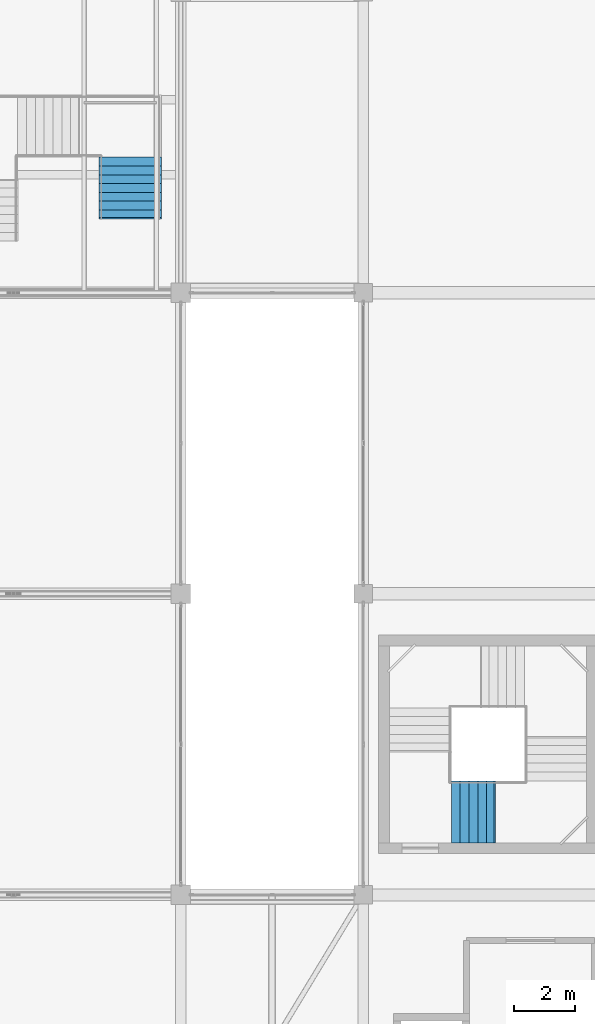
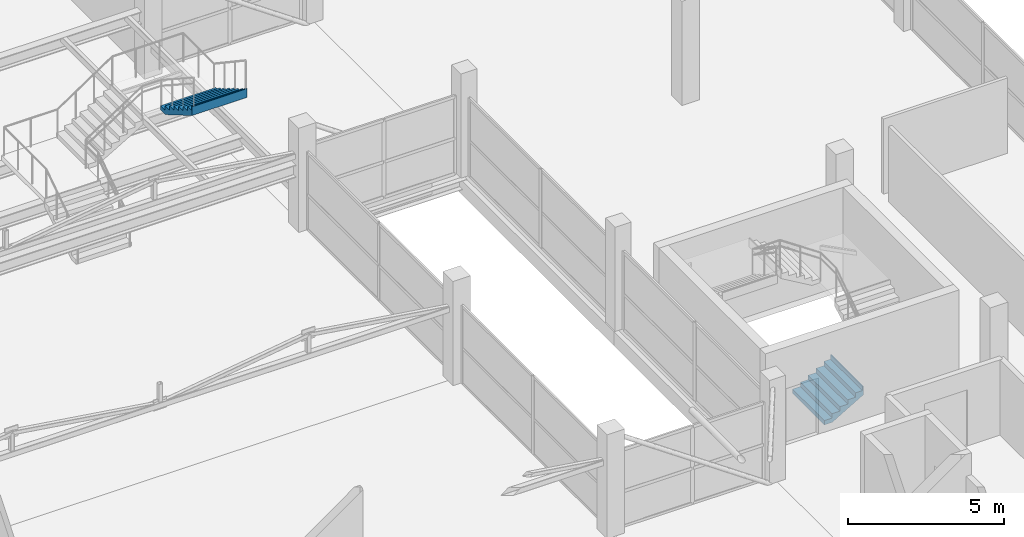
# One storey, part 65 of 70: 2 stair flights, 2 elements without a shape of their own.
"""IFC4 building model written with IfcOpenShell, lengths in metres."""

from ifc_helpers import new_model, si_unit, direction, frame, origin, place, context, subcontext, project, spatial, triangles, material, type_object, element, aggregate, save


model = new_model("IFC4")

# Units and contexts
model_context = context("Model", 3, precision=1e-05, world=origin(), true_north=direction((0.0, 1.0)))
body_context = subcontext(model_context, "Body", "Model", "MODEL_VIEW")
ifc_project = project(units=[si_unit("LENGTHUNIT", "METRE"), si_unit("AREAUNIT", "SQUARE_METRE"), si_unit("VOLUMEUNIT", "CUBIC_METRE"), si_unit("PLANEANGLEUNIT", "RADIAN"), si_unit("MASSUNIT", "GRAM", prefix="KILO")], contexts=[model_context])

# Site, building, storey
site_placement = place(None, origin())
site = spatial("IfcSite", under=ifc_project, at=site_placement, CompositionType="ELEMENT")
building_placement = place(site_placement, origin())
building = spatial("IfcBuilding", under=site, at=building_placement, Name="Sillaruma Civic Art Gallery", CompositionType="ELEMENT")
storey_placement = place(building_placement, frame((0.0, 0.0, 66.300048828125)))
storey = spatial("IfcBuildingStorey", under=building, at=storey_placement, Name="L13", CompositionType="ELEMENT", Elevation=66.300048828125)

# Stair, stair flight
ifc_material = material(Name="Concrete H35 (35 MPa)", Category="concrete")
stair_type_1 = type_object("IfcStairType", Name="STR-4F-24", PredefinedType="USERDEFINED", material=ifc_material)
stair_1_placement = place(storey_placement, origin())
stair_1 = element("IfcStair", 1, at=stair_1_placement, inside=storey, type_object=stair_type_1, Name="Protected Exit Stair ST-04 (East Bar) (L13)", ObjectType="THREE_RETURN_STAIR", PredefinedType="USERDEFINED")
stair_flight_type_1 = type_object("IfcStairFlightType", Name="SFL-STR-6", PredefinedType="STRAIGHT", material=ifc_material)
stair_flight_1_placement = place(storey_placement, frame((100.89990234375, 52.22998046875, 0.0), z_axis=(0.0, 0.0, 1.0), x_axis=(1.0, 0.0, 0.0)))
stair_flight_1 = element("IfcStairFlight", 2, at=stair_flight_1_placement, type_object=stair_flight_type_1, Name="ST-04 flight 1", NumberOfRisers=6, NumberOfTreads=5, PredefinedType="STRAIGHT", RiserHeight=0.17, TreadLength=0.29, context=body_context, shape_type="Tessellation", body=[
    triangles([(0.0, -1.02001953125, 0.0), (0.29, -1.02001953125, 0.0), (0.296365, -1.02001953125, 0.0), (0.58, -1.02001953125, 0.166269), (0.87, -1.02001953125, 0.336269), (1.16, -1.02001953125, 0.506269), (1.409951, -1.02001953125, 0.652792), (1.449951, -1.02001953125, 0.67624), (1.449951, -1.02001953125, 1.02), (1.409951, -1.02001953125, 1.02), (1.409951, -1.02001953125, 0.85), (1.16, -1.02001953125, 0.85), (1.16, -1.02001953125, 0.68), (0.87, -1.02001953125, 0.68), (0.87, -1.02001953125, 0.51), (0.58, -1.02001953125, 0.51), (0.58, -1.02001953125, 0.34), (0.296365, -1.02001953125, 0.34), (0.29, -1.02001953125, 0.34), (0.29, -1.02001953125, 0.17), (0.0, -1.02001953125, 0.17), (0.0, -0.05, 0.0), (0.29, -0.05, 0.0), (0.296365, -0.05, 0.0), (0.58, -0.05, 0.166269), (0.87, -0.05, 0.336269), (1.16, -0.05, 0.506269), (1.409951, -0.05, 0.652792), (1.449951, -0.05, 0.67624), (1.449951, -0.05, 1.02), (1.409951, -0.05, 1.02), (1.409951, -0.05, 0.85), (1.16, -0.05, 0.85), (1.16, -0.05, 0.68), (0.87, -0.05, 0.68), (0.87, -0.05, 0.51), (0.58, -0.05, 0.51), (0.58, -0.05, 0.34), (0.296365, -0.05, 0.34), (0.29, -0.05, 0.34), (0.29, -0.05, 0.17), (0.0, -0.05, 0.17), (0.0, -0.0375, 0.0), (0.29, -0.0375, 0.0), (0.296365, -0.0375, 0.0), (0.58, -0.0375, 0.166269), (0.87, -0.0375, 0.336269), (1.16, -0.0375, 0.506269), (1.409951, -0.0375, 0.652792), (1.449951, -0.0375, 0.67624), (1.449951, -0.0375, 1.02), (1.409951, -0.0375, 1.02), (1.409951, -0.0375, 0.85), (1.16, -0.0375, 0.85), (1.16, -0.0375, 0.68), (0.87, -0.0375, 0.68), (0.87, -0.0375, 0.51), (0.58, -0.0375, 0.51), (0.58, -0.0375, 0.34), (0.296365, -0.0375, 0.34), (0.29, -0.0375, 0.34), (0.29, -0.0375, 0.17), (0.0, -0.0375, 0.17), (0.0, -0.025, 0.0), (0.29, -0.025, 0.0), (0.296365, -0.025, 0.0), (0.58, -0.025, 0.166269), (0.87, -0.025, 0.336269), (1.16, -0.025, 0.506269), (1.409951, -0.025, 0.652792), (1.449951, -0.025, 0.67624), (1.449951, -0.025, 1.02), (1.409951, -0.025, 1.02), (1.409951, -0.025, 0.85), (1.16, -0.025, 0.85), (1.16, -0.025, 0.68), (0.87, -0.025, 0.68), (0.87, -0.025, 0.51), (0.58, -0.025, 0.51), (0.58, -0.025, 0.34), (0.296365, -0.025, 0.34), (0.29, -0.025, 0.34), (0.29, -0.025, 0.17), (0.0, -0.025, 0.17), (0.0, -0.0125, 0.0), (0.29, -0.0125, 0.0), (0.296365, -0.0125, 0.0), (0.58, -0.0125, 0.166269), (0.87, -0.0125, 0.336269), (1.16, -0.0125, 0.506269), (1.409951, -0.0125, 0.652792), (1.449951, -0.0125, 0.67624), (1.449951, -0.0125, 1.02), (1.409951, -0.0125, 1.02), (1.409951, -0.0125, 0.85), (1.16, -0.0125, 0.85), (1.16, -0.0125, 0.68), (0.87, -0.0125, 0.68), (0.87, -0.0125, 0.51), (0.58, -0.0125, 0.51), (0.58, -0.0125, 0.34), (0.296365, -0.0125, 0.34), (0.29, -0.0125, 0.34), (0.29, -0.0125, 0.17), (0.0, -0.0125, 0.17), (0.0, 0.0, 0.0), (0.29, 0.0, 0.0), (0.296365, 0.0, 0.0), (0.58, 0.0, 0.166269), (0.87, 0.0, 0.336269), (1.16, 0.0, 0.506269), (1.409951, 0.0, 0.652792), (1.449951, 0.0, 0.67624), (1.449951, 0.0, 1.02), (1.409951, 0.0, 1.02), (1.409951, 0.0, 0.85), (1.16, 0.0, 0.85), (1.16, 0.0, 0.68), (0.87, 0.0, 0.68), (0.87, 0.0, 0.51), (0.58, 0.0, 0.51), (0.58, 0.0, 0.34), (0.296365, 0.0, 0.34), (0.29, 0.0, 0.34), (0.29, 0.0, 0.17), (0.0, 0.0, 0.17), (0.0, 0.0125, 0.0), (0.29, 0.0125, 0.0), (0.296365, 0.0125, 0.0), (0.58, 0.0125, 0.166269), (0.87, 0.0125, 0.336269), (1.16, 0.0125, 0.506269), (1.409951, 0.0125, 0.652792), (1.449951, 0.0125, 0.67624), (1.449951, 0.0125, 1.02), (1.409951, 0.0125, 1.02), (1.409951, 0.0125, 0.85), (1.16, 0.0125, 0.85), (1.16, 0.0125, 0.68), (0.87, 0.0125, 0.68), (0.87, 0.0125, 0.51), (0.58, 0.0125, 0.51), (0.58, 0.0125, 0.34), (0.296365, 0.0125, 0.34), (0.29, 0.0125, 0.34), (0.29, 0.0125, 0.17), (0.0, 0.0125, 0.17), (0.0, 0.025, 0.0), (0.29, 0.025, 0.0), (0.296365, 0.025, 0.0), (0.58, 0.025, 0.166269), (0.87, 0.025, 0.336269), (1.16, 0.025, 0.506269), (1.409951, 0.025, 0.652792), (1.449951, 0.025, 0.67624), (1.449951, 0.025, 1.02), (1.409951, 0.025, 1.02), (1.409951, 0.025, 0.85), (1.16, 0.025, 0.85), (1.16, 0.025, 0.68), (0.87, 0.025, 0.68), (0.87, 0.025, 0.51), (0.58, 0.025, 0.51), (0.58, 0.025, 0.34), (0.296365, 0.025, 0.34), (0.29, 0.025, 0.34), (0.29, 0.025, 0.17), (0.0, 0.025, 0.17), (0.0, 0.0375, 0.0), (0.29, 0.0375, 0.0), (0.296365, 0.0375, 0.0), (0.58, 0.0375, 0.166269), (0.87, 0.0375, 0.336269), (1.16, 0.0375, 0.506269), (1.409951, 0.0375, 0.652792), (1.449951, 0.0375, 0.67624), (1.449951, 0.0375, 1.02), (1.409951, 0.0375, 1.02), (1.409951, 0.0375, 0.85), (1.16, 0.0375, 0.85), (1.16, 0.0375, 0.68), (0.87, 0.0375, 0.68), (0.87, 0.0375, 0.51), (0.58, 0.0375, 0.51), (0.58, 0.0375, 0.34), (0.296365, 0.0375, 0.34), (0.29, 0.0375, 0.34), (0.29, 0.0375, 0.17), (0.0, 0.0375, 0.17), (0.0, 0.05, 0.0), (0.29, 0.05, 0.0), (0.296365, 0.05, 0.0), (0.58, 0.05, 0.166269), (0.87, 0.05, 0.336269), (1.16, 0.05, 0.506269), (1.409951, 0.05, 0.652792), (1.449951, 0.05, 0.67624), (1.449951, 0.05, 1.02), (1.409951, 0.05, 1.02), (1.409951, 0.05, 0.85), (1.16, 0.05, 0.85), (1.16, 0.05, 0.68), (0.87, 0.05, 0.68), (0.87, 0.05, 0.51), (0.58, 0.05, 0.51), (0.58, 0.05, 0.34), (0.296365, 0.05, 0.34), (0.29, 0.05, 0.34), (0.29, 0.05, 0.17), (0.0, 0.05, 0.17), (0.0, 1.02001953125, 0.0), (0.29, 1.02001953125, 0.0), (0.296365, 1.02001953125, 0.0), (0.58, 1.02001953125, 0.166269), (0.87, 1.02001953125, 0.336269), (1.16, 1.02001953125, 0.506269), (1.409951, 1.02001953125, 0.652792), (1.449951, 1.02001953125, 0.67624), (1.449951, 1.02001953125, 1.02), (1.409951, 1.02001953125, 1.02), (1.409951, 1.02001953125, 0.85), (1.16, 1.02001953125, 0.85), (1.16, 1.02001953125, 0.68), (0.87, 1.02001953125, 0.68), (0.87, 1.02001953125, 0.51), (0.58, 1.02001953125, 0.51), (0.58, 1.02001953125, 0.34), (0.296365, 1.02001953125, 0.34), (0.29, 1.02001953125, 0.34), (0.29, 1.02001953125, 0.17), (0.0, 1.02001953125, 0.17)], [[1, 2, 20], [1, 20, 21], [2, 3, 18], [2, 18, 20], [20, 18, 19], [3, 4, 17], [3, 17, 18], [4, 5, 15], [4, 15, 17], [17, 15, 16], [5, 6, 13], [5, 13, 15], [15, 13, 14], [6, 7, 11], [6, 11, 13], [13, 11, 12], [7, 8, 9], [7, 9, 11], [11, 9, 10], [230, 212, 211], [231, 230, 211], [228, 213, 212], [230, 228, 212], [229, 228, 230], [227, 214, 213], [228, 227, 213], [225, 215, 214], [227, 225, 214], [226, 225, 227], [223, 216, 215], [225, 223, 215], [224, 223, 225], [221, 217, 216], [223, 221, 216], [222, 221, 223], [219, 218, 217], [221, 219, 217], [220, 219, 221], [2, 1, 22], [2, 22, 23], [3, 2, 23], [3, 23, 24], [4, 3, 24], [4, 24, 25], [5, 4, 25], [5, 25, 26], [6, 5, 26], [6, 26, 27], [7, 6, 27], [7, 27, 28], [8, 7, 28], [8, 28, 29], [9, 8, 29], [9, 29, 30], [10, 9, 30], [10, 30, 31], [11, 10, 31], [11, 31, 32], [12, 11, 32], [12, 32, 33], [13, 12, 33], [13, 33, 34], [14, 13, 34], [14, 34, 35], [15, 14, 35], [15, 35, 36], [16, 15, 36], [16, 36, 37], [17, 16, 37], [17, 37, 38], [18, 17, 38], [18, 38, 39], [19, 18, 39], [19, 39, 40], [20, 19, 40], [20, 40, 41], [21, 20, 41], [21, 41, 42], [1, 21, 42], [1, 42, 22], [23, 22, 43], [23, 43, 44], [24, 23, 44], [24, 44, 45], [25, 24, 45], [25, 45, 46], [26, 25, 46], [26, 46, 47], [27, 26, 47], [27, 47, 48], [28, 27, 48], [28, 48, 49], [29, 28, 49], [29, 49, 50], [30, 29, 50], [30, 50, 51], [31, 30, 51], [31, 51, 52], [32, 31, 52], [32, 52, 53], [33, 32, 53], [33, 53, 54], [34, 33, 54], [34, 54, 55], [35, 34, 55], [35, 55, 56], [36, 35, 56], [36, 56, 57], [37, 36, 57], [37, 57, 58], [38, 37, 58], [38, 58, 59], [39, 38, 59], [39, 59, 60], [40, 39, 60], [40, 60, 61], [41, 40, 61], [41, 61, 62], [42, 41, 62], [42, 62, 63], [22, 42, 63], [22, 63, 43], [44, 43, 64], [44, 64, 65], [45, 44, 65], [45, 65, 66], [46, 45, 66], [46, 66, 67], [47, 46, 67], [47, 67, 68], [48, 47, 68], [48, 68, 69], [49, 48, 69], [49, 69, 70], [50, 49, 70], [50, 70, 71], [51, 50, 71], [51, 71, 72], [52, 51, 72], [52, 72, 73], [53, 52, 73], [53, 73, 74], [54, 53, 74], [54, 74, 75], [55, 54, 75], [55, 75, 76], [56, 55, 76], [56, 76, 77], [57, 56, 77], [57, 77, 78], [58, 57, 78], [58, 78, 79], [59, 58, 79], [59, 79, 80], [60, 59, 80], [60, 80, 81], [61, 60, 81], [61, 81, 82], [62, 61, 82], [62, 82, 83], [63, 62, 83], [63, 83, 84], [43, 63, 84], [43, 84, 64], [65, 64, 85], [65, 85, 86], [66, 65, 86], [66, 86, 87], [67, 66, 87], [67, 87, 88], [68, 67, 88], [68, 88, 89], [69, 68, 89], [69, 89, 90], [70, 69, 90], [70, 90, 91], [71, 70, 91], [71, 91, 92], [72, 71, 92], [72, 92, 93], [73, 72, 93], [73, 93, 94], [74, 73, 94], [74, 94, 95], [75, 74, 95], [75, 95, 96], [76, 75, 96], [76, 96, 97], [77, 76, 97], [77, 97, 98], [78, 77, 98], [78, 98, 99], [79, 78, 99], [79, 99, 100], [80, 79, 100], [80, 100, 101], [81, 80, 101], [81, 101, 102], [82, 81, 102], [82, 102, 103], [83, 82, 103], [83, 103, 104], [84, 83, 104], [84, 104, 105], [64, 84, 105], [64, 105, 85], [86, 85, 106], [86, 106, 107], [87, 86, 107], [87, 107, 108], [88, 87, 108], [88, 108, 109], [89, 88, 109], [89, 109, 110], [90, 89, 110], [90, 110, 111], [91, 90, 111], [91, 111, 112], [92, 91, 112], [92, 112, 113], [93, 92, 113], [93, 113, 114], [94, 93, 114], [94, 114, 115], [95, 94, 115], [95, 115, 116], [96, 95, 116], [96, 116, 117], [97, 96, 117], [97, 117, 118], [98, 97, 118], [98, 118, 119], [99, 98, 119], [99, 119, 120], [100, 99, 120], [100, 120, 121], [101, 100, 121], [101, 121, 122], [102, 101, 122], [102, 122, 123], [103, 102, 123], [103, 123, 124], [104, 103, 124], [104, 124, 125], [105, 104, 125], [105, 125, 126], [85, 105, 126], [85, 126, 106], [107, 106, 127], [107, 127, 128], [108, 107, 128], [108, 128, 129], [109, 108, 129], [109, 129, 130], [110, 109, 130], [110, 130, 131], [111, 110, 131], [111, 131, 132], [112, 111, 132], [112, 132, 133], [113, 112, 133], [113, 133, 134], [114, 113, 134], [114, 134, 135], [115, 114, 135], [115, 135, 136], [116, 115, 136], [116, 136, 137], [117, 116, 137], [117, 137, 138], [118, 117, 138], [118, 138, 139], [119, 118, 139], [119, 139, 140], [120, 119, 140], [120, 140, 141], [121, 120, 141], [121, 141, 142], [122, 121, 142], [122, 142, 143], [123, 122, 143], [123, 143, 144], [124, 123, 144], [124, 144, 145], [125, 124, 145], [125, 145, 146], [126, 125, 146], [126, 146, 147], [106, 126, 147], [106, 147, 127], [128, 127, 148], [128, 148, 149], [129, 128, 149], [129, 149, 150], [130, 129, 150], [130, 150, 151], [131, 130, 151], [131, 151, 152], [132, 131, 152], [132, 152, 153], [133, 132, 153], [133, 153, 154], [134, 133, 154], [134, 154, 155], [135, 134, 155], [135, 155, 156], [136, 135, 156], [136, 156, 157], [137, 136, 157], [137, 157, 158], [138, 137, 158], [138, 158, 159], [139, 138, 159], [139, 159, 160], [140, 139, 160], [140, 160, 161], [141, 140, 161], [141, 161, 162], [142, 141, 162], [142, 162, 163], [143, 142, 163], [143, 163, 164], [144, 143, 164], [144, 164, 165], [145, 144, 165], [145, 165, 166], [146, 145, 166], [146, 166, 167], [147, 146, 167], [147, 167, 168], [127, 147, 168], [127, 168, 148], [149, 148, 169], [149, 169, 170], [150, 149, 170], [150, 170, 171], [151, 150, 171], [151, 171, 172], [152, 151, 172], [152, 172, 173], [153, 152, 173], [153, 173, 174], [154, 153, 174], [154, 174, 175], [155, 154, 175], [155, 175, 176], [156, 155, 176], [156, 176, 177], [157, 156, 177], [157, 177, 178], [158, 157, 178], [158, 178, 179], [159, 158, 179], [159, 179, 180], [160, 159, 180], [160, 180, 181], [161, 160, 181], [161, 181, 182], [162, 161, 182], [162, 182, 183], [163, 162, 183], [163, 183, 184], [164, 163, 184], [164, 184, 185], [165, 164, 185], [165, 185, 186], [166, 165, 186], [166, 186, 187], [167, 166, 187], [167, 187, 188], [168, 167, 188], [168, 188, 189], [148, 168, 189], [148, 189, 169], [170, 169, 190], [170, 190, 191], [171, 170, 191], [171, 191, 192], [172, 171, 192], [172, 192, 193], [173, 172, 193], [173, 193, 194], [174, 173, 194], [174, 194, 195], [175, 174, 195], [175, 195, 196], [176, 175, 196], [176, 196, 197], [177, 176, 197], [177, 197, 198], [178, 177, 198], [178, 198, 199], [179, 178, 199], [179, 199, 200], [180, 179, 200], [180, 200, 201], [181, 180, 201], [181, 201, 202], [182, 181, 202], [182, 202, 203], [183, 182, 203], [183, 203, 204], [184, 183, 204], [184, 204, 205], [185, 184, 205], [185, 205, 206], [186, 185, 206], [186, 206, 207], [187, 186, 207], [187, 207, 208], [188, 187, 208], [188, 208, 209], [189, 188, 209], [189, 209, 210], [169, 189, 210], [169, 210, 190], [191, 190, 211], [191, 211, 212], [192, 191, 212], [192, 212, 213], [193, 192, 213], [193, 213, 214], [194, 193, 214], [194, 214, 215], [195, 194, 215], [195, 215, 216], [196, 195, 216], [196, 216, 217], [197, 196, 217], [197, 217, 218], [198, 197, 218], [198, 218, 219], [199, 198, 219], [199, 219, 220], [200, 199, 220], [200, 220, 221], [201, 200, 221], [201, 221, 222], [202, 201, 222], [202, 222, 223], [203, 202, 223], [203, 223, 224], [204, 203, 224], [204, 224, 225], [205, 204, 225], [205, 225, 226], [206, 205, 226], [206, 226, 227], [207, 206, 227], [207, 227, 228], [208, 207, 228], [208, 228, 229], [209, 208, 229], [209, 229, 230], [210, 209, 230], [210, 230, 231], [190, 210, 231], [190, 231, 211]], closed=True),
])
aggregate(stair_1, [stair_flight_1])

stair_type_2 = type_object("IfcStairType", Name="STR-3F-24", PredefinedType="TWO_QUARTER_TURN_STAIR", material=ifc_material)
stair_2_placement = place(storey_placement, origin())
stair_2 = element("IfcStair", 3, at=stair_2_placement, inside=storey, type_object=stair_type_2, Name="Monumental Gallery Feature Stair ST-G08 (L13)", PredefinedType="TWO_QUARTER_TURN_STAIR")
stair_flight_type_2 = type_object("IfcStairFlightType", Name="SFL-STR-8", PredefinedType="STRAIGHT", material=ifc_material)
stair_flight_2_placement = place(storey_placement, frame((90.340087890625, 73.760009765625, 2.719970703125), z_axis=(0.0, 0.0, 1.0), x_axis=(0.0, -1.0, 0.0)))
stair_flight_2 = element("IfcStairFlight", 4, at=stair_flight_2_placement, type_object=stair_flight_type_2, Name="ST-G08 flight 3", NumberOfRisers=8, NumberOfTreads=7, PredefinedType="STRAIGHT", RiserHeight=0.17, TreadLength=0.29, context=body_context, shape_type="Tessellation", body=[
    triangles([(0.0, -1.02001953125, 0.0), (0.29, -1.02001953125, 0.0), (0.296443, -1.02001953125, 0.0), (0.58, -1.02001953125, 0.166223), (0.87, -1.02001953125, 0.336223), (1.16, -1.02001953125, 0.506223), (1.45, -1.02001953125, 0.676223), (1.74, -1.02001953125, 0.846223), (1.990029, -1.02001953125, 0.992792), (2.030029, -1.02001953125, 1.01624), (2.030029, -1.02001953125, 1.36), (1.990029, -1.02001953125, 1.36), (1.990029, -1.02001953125, 1.19), (1.74, -1.02001953125, 1.19), (1.74, -1.02001953125, 1.02), (1.45, -1.02001953125, 1.02), (1.45, -1.02001953125, 0.85), (1.16, -1.02001953125, 0.85), (1.16, -1.02001953125, 0.68), (0.87, -1.02001953125, 0.68), (0.87, -1.02001953125, 0.51), (0.58, -1.02001953125, 0.51), (0.58, -1.02001953125, 0.34), (0.296443, -1.02001953125, 0.34), (0.29, -1.02001953125, 0.34), (0.29, -1.02001953125, 0.17), (0.0, -1.02001953125, 0.17), (0.0, -0.05, 0.0), (0.29, -0.05, 0.0), (0.296443, -0.05, 0.0), (0.58, -0.05, 0.166223), (0.87, -0.05, 0.336223), (1.16, -0.05, 0.506223), (1.45, -0.05, 0.676223), (1.74, -0.05, 0.846223), (1.990029, -0.05, 0.992792), (2.030029, -0.05, 1.01624), (2.030029, -0.05, 1.36), (1.990029, -0.05, 1.36), (1.990029, -0.05, 1.19), (1.74, -0.05, 1.19), (1.74, -0.05, 1.02), (1.45, -0.05, 1.02), (1.45, -0.05, 0.85), (1.16, -0.05, 0.85), (1.16, -0.05, 0.68), (0.87, -0.05, 0.68), (0.87, -0.05, 0.51), (0.58, -0.05, 0.51), (0.58, -0.05, 0.34), (0.296443, -0.05, 0.34), (0.29, -0.05, 0.34), (0.29, -0.05, 0.17), (0.0, -0.05, 0.17), (0.0, -0.0375, 0.0), (0.29, -0.0375, 0.0), (0.296443, -0.0375, 0.0), (0.58, -0.0375, 0.166223), (0.87, -0.0375, 0.336223), (1.16, -0.0375, 0.506223), (1.45, -0.0375, 0.676223), (1.74, -0.0375, 0.846223), (1.990029, -0.0375, 0.992792), (2.030029, -0.0375, 1.01624), (2.030029, -0.0375, 1.36), (1.990029, -0.0375, 1.36), (1.990029, -0.0375, 1.19), (1.74, -0.0375, 1.19), (1.74, -0.0375, 1.02), (1.45, -0.0375, 1.02), (1.45, -0.0375, 0.85), (1.16, -0.0375, 0.85), (1.16, -0.0375, 0.68), (0.87, -0.0375, 0.68), (0.87, -0.0375, 0.51), (0.58, -0.0375, 0.51), (0.58, -0.0375, 0.34), (0.296443, -0.0375, 0.34), (0.29, -0.0375, 0.34), (0.29, -0.0375, 0.17), (0.0, -0.0375, 0.17), (0.0, -0.025, 0.0), (0.29, -0.025, 0.0), (0.296443, -0.025, 0.0), (0.58, -0.025, 0.166223), (0.87, -0.025, 0.336223), (1.16, -0.025, 0.506223), (1.45, -0.025, 0.676223), (1.74, -0.025, 0.846223), (1.990029, -0.025, 0.992792), (2.030029, -0.025, 1.01624), (2.030029, -0.025, 1.36), (1.990029, -0.025, 1.36), (1.990029, -0.025, 1.19), (1.74, -0.025, 1.19), (1.74, -0.025, 1.02), (1.45, -0.025, 1.02), (1.45, -0.025, 0.85), (1.16, -0.025, 0.85), (1.16, -0.025, 0.68), (0.87, -0.025, 0.68), (0.87, -0.025, 0.51), (0.58, -0.025, 0.51), (0.58, -0.025, 0.34), (0.296443, -0.025, 0.34), (0.29, -0.025, 0.34), (0.29, -0.025, 0.17), (0.0, -0.025, 0.17), (0.0, -0.0125, 0.0), (0.29, -0.0125, 0.0), (0.296443, -0.0125, 0.0), (0.58, -0.0125, 0.166223), (0.87, -0.0125, 0.336223), (1.16, -0.0125, 0.506223), (1.45, -0.0125, 0.676223), (1.74, -0.0125, 0.846223), (1.990029, -0.0125, 0.992792), (2.030029, -0.0125, 1.01624), (2.030029, -0.0125, 1.36), (1.990029, -0.0125, 1.36), (1.990029, -0.0125, 1.19), (1.74, -0.0125, 1.19), (1.74, -0.0125, 1.02), (1.45, -0.0125, 1.02), (1.45, -0.0125, 0.85), (1.16, -0.0125, 0.85), (1.16, -0.0125, 0.68), (0.87, -0.0125, 0.68), (0.87, -0.0125, 0.51), (0.58, -0.0125, 0.51), (0.58, -0.0125, 0.34), (0.296443, -0.0125, 0.34), (0.29, -0.0125, 0.34), (0.29, -0.0125, 0.17), (0.0, -0.0125, 0.17), (0.0, 0.0, 0.0), (0.29, 0.0, 0.0), (0.296443, 0.0, 0.0), (0.58, 0.0, 0.166223), (0.87, 0.0, 0.336223), (1.16, 0.0, 0.506223), (1.45, 0.0, 0.676223), (1.74, 0.0, 0.846223), (1.990029, 0.0, 0.992792), (2.030029, 0.0, 1.01624), (2.030029, 0.0, 1.36), (1.990029, 0.0, 1.36), (1.990029, 0.0, 1.19), (1.74, 0.0, 1.19), (1.74, 0.0, 1.02), (1.45, 0.0, 1.02), (1.45, 0.0, 0.85), (1.16, 0.0, 0.85), (1.16, 0.0, 0.68), (0.87, 0.0, 0.68), (0.87, 0.0, 0.51), (0.58, 0.0, 0.51), (0.58, 0.0, 0.34), (0.296443, 0.0, 0.34), (0.29, 0.0, 0.34), (0.29, 0.0, 0.17), (0.0, 0.0, 0.17), (0.0, 0.0125, 0.0), (0.29, 0.0125, 0.0), (0.296443, 0.0125, 0.0), (0.58, 0.0125, 0.166223), (0.87, 0.0125, 0.336223), (1.16, 0.0125, 0.506223), (1.45, 0.0125, 0.676223), (1.74, 0.0125, 0.846223), (1.990029, 0.0125, 0.992792), (2.030029, 0.0125, 1.01624), (2.030029, 0.0125, 1.36), (1.990029, 0.0125, 1.36), (1.990029, 0.0125, 1.19), (1.74, 0.0125, 1.19), (1.74, 0.0125, 1.02), (1.45, 0.0125, 1.02), (1.45, 0.0125, 0.85), (1.16, 0.0125, 0.85), (1.16, 0.0125, 0.68), (0.87, 0.0125, 0.68), (0.87, 0.0125, 0.51), (0.58, 0.0125, 0.51), (0.58, 0.0125, 0.34), (0.296443, 0.0125, 0.34), (0.29, 0.0125, 0.34), (0.29, 0.0125, 0.17), (0.0, 0.0125, 0.17), (0.0, 0.025, 0.0), (0.29, 0.025, 0.0), (0.296443, 0.025, 0.0), (0.58, 0.025, 0.166223), (0.87, 0.025, 0.336223), (1.16, 0.025, 0.506223), (1.45, 0.025, 0.676223), (1.74, 0.025, 0.846223), (1.990029, 0.025, 0.992792), (2.030029, 0.025, 1.01624), (2.030029, 0.025, 1.36), (1.990029, 0.025, 1.36), (1.990029, 0.025, 1.19), (1.74, 0.025, 1.19), (1.74, 0.025, 1.02), (1.45, 0.025, 1.02), (1.45, 0.025, 0.85), (1.16, 0.025, 0.85), (1.16, 0.025, 0.68), (0.87, 0.025, 0.68), (0.87, 0.025, 0.51), (0.58, 0.025, 0.51), (0.58, 0.025, 0.34), (0.296443, 0.025, 0.34), (0.29, 0.025, 0.34), (0.29, 0.025, 0.17), (0.0, 0.025, 0.17), (0.0, 0.0375, 0.0), (0.29, 0.0375, 0.0), (0.296443, 0.0375, 0.0), (0.58, 0.0375, 0.166223), (0.87, 0.0375, 0.336223), (1.16, 0.0375, 0.506223), (1.45, 0.0375, 0.676223), (1.74, 0.0375, 0.846223), (1.990029, 0.0375, 0.992792), (2.030029, 0.0375, 1.01624), (2.030029, 0.0375, 1.36), (1.990029, 0.0375, 1.36), (1.990029, 0.0375, 1.19), (1.74, 0.0375, 1.19), (1.74, 0.0375, 1.02), (1.45, 0.0375, 1.02), (1.45, 0.0375, 0.85), (1.16, 0.0375, 0.85), (1.16, 0.0375, 0.68), (0.87, 0.0375, 0.68), (0.87, 0.0375, 0.51), (0.58, 0.0375, 0.51), (0.58, 0.0375, 0.34), (0.296443, 0.0375, 0.34), (0.29, 0.0375, 0.34), (0.29, 0.0375, 0.17), (0.0, 0.0375, 0.17), (0.0, 0.05, 0.0), (0.29, 0.05, 0.0), (0.296443, 0.05, 0.0), (0.58, 0.05, 0.166223), (0.87, 0.05, 0.336223), (1.16, 0.05, 0.506223), (1.45, 0.05, 0.676223), (1.74, 0.05, 0.846223), (1.990029, 0.05, 0.992792), (2.030029, 0.05, 1.01624), (2.030029, 0.05, 1.36), (1.990029, 0.05, 1.36), (1.990029, 0.05, 1.19), (1.74, 0.05, 1.19), (1.74, 0.05, 1.02), (1.45, 0.05, 1.02), (1.45, 0.05, 0.85), (1.16, 0.05, 0.85), (1.16, 0.05, 0.68), (0.87, 0.05, 0.68), (0.87, 0.05, 0.51), (0.58, 0.05, 0.51), (0.58, 0.05, 0.34), (0.296443, 0.05, 0.34), (0.29, 0.05, 0.34), (0.29, 0.05, 0.17), (0.0, 0.05, 0.17), (0.0, 1.02001953125, 0.0), (0.29, 1.02001953125, 0.0), (0.296443, 1.02001953125, 0.0), (0.58, 1.02001953125, 0.166223), (0.87, 1.02001953125, 0.336223), (1.16, 1.02001953125, 0.506223), (1.45, 1.02001953125, 0.676223), (1.74, 1.02001953125, 0.846223), (1.990029, 1.02001953125, 0.992792), (2.030029, 1.02001953125, 1.01624), (2.030029, 1.02001953125, 1.36), (1.990029, 1.02001953125, 1.36), (1.990029, 1.02001953125, 1.19), (1.74, 1.02001953125, 1.19), (1.74, 1.02001953125, 1.02), (1.45, 1.02001953125, 1.02), (1.45, 1.02001953125, 0.85), (1.16, 1.02001953125, 0.85), (1.16, 1.02001953125, 0.68), (0.87, 1.02001953125, 0.68), (0.87, 1.02001953125, 0.51), (0.58, 1.02001953125, 0.51), (0.58, 1.02001953125, 0.34), (0.296443, 1.02001953125, 0.34), (0.29, 1.02001953125, 0.34), (0.29, 1.02001953125, 0.17), (0.0, 1.02001953125, 0.17)], [[1, 2, 26], [1, 26, 27], [2, 3, 24], [2, 24, 26], [26, 24, 25], [3, 4, 23], [3, 23, 24], [4, 5, 21], [4, 21, 23], [23, 21, 22], [5, 6, 19], [5, 19, 21], [21, 19, 20], [6, 7, 17], [6, 17, 19], [19, 17, 18], [7, 8, 15], [7, 15, 17], [17, 15, 16], [8, 9, 13], [8, 13, 15], [15, 13, 14], [9, 10, 11], [9, 11, 13], [13, 11, 12], [296, 272, 271], [297, 296, 271], [294, 273, 272], [296, 294, 272], [295, 294, 296], [293, 274, 273], [294, 293, 273], [291, 275, 274], [293, 291, 274], [292, 291, 293], [289, 276, 275], [291, 289, 275], [290, 289, 291], [287, 277, 276], [289, 287, 276], [288, 287, 289], [285, 278, 277], [287, 285, 277], [286, 285, 287], [283, 279, 278], [285, 283, 278], [284, 283, 285], [281, 280, 279], [283, 281, 279], [282, 281, 283], [2, 1, 28], [2, 28, 29], [3, 2, 29], [3, 29, 30], [4, 3, 30], [4, 30, 31], [5, 4, 31], [5, 31, 32], [6, 5, 32], [6, 32, 33], [7, 6, 33], [7, 33, 34], [8, 7, 34], [8, 34, 35], [9, 8, 35], [9, 35, 36], [10, 9, 36], [10, 36, 37], [11, 10, 37], [11, 37, 38], [12, 11, 38], [12, 38, 39], [13, 12, 39], [13, 39, 40], [14, 13, 40], [14, 40, 41], [15, 14, 41], [15, 41, 42], [16, 15, 42], [16, 42, 43], [17, 16, 43], [17, 43, 44], [18, 17, 44], [18, 44, 45], [19, 18, 45], [19, 45, 46], [20, 19, 46], [20, 46, 47], [21, 20, 47], [21, 47, 48], [22, 21, 48], [22, 48, 49], [23, 22, 49], [23, 49, 50], [24, 23, 50], [24, 50, 51], [25, 24, 51], [25, 51, 52], [26, 25, 52], [26, 52, 53], [27, 26, 53], [27, 53, 54], [1, 27, 54], [1, 54, 28], [29, 28, 55], [29, 55, 56], [30, 29, 56], [30, 56, 57], [31, 30, 57], [31, 57, 58], [32, 31, 58], [32, 58, 59], [33, 32, 59], [33, 59, 60], [34, 33, 60], [34, 60, 61], [35, 34, 61], [35, 61, 62], [36, 35, 62], [36, 62, 63], [37, 36, 63], [37, 63, 64], [38, 37, 64], [38, 64, 65], [39, 38, 65], [39, 65, 66], [40, 39, 66], [40, 66, 67], [41, 40, 67], [41, 67, 68], [42, 41, 68], [42, 68, 69], [43, 42, 69], [43, 69, 70], [44, 43, 70], [44, 70, 71], [45, 44, 71], [45, 71, 72], [46, 45, 72], [46, 72, 73], [47, 46, 73], [47, 73, 74], [48, 47, 74], [48, 74, 75], [49, 48, 75], [49, 75, 76], [50, 49, 76], [50, 76, 77], [51, 50, 77], [51, 77, 78], [52, 51, 78], [52, 78, 79], [53, 52, 79], [53, 79, 80], [54, 53, 80], [54, 80, 81], [28, 54, 81], [28, 81, 55], [56, 55, 82], [56, 82, 83], [57, 56, 83], [57, 83, 84], [58, 57, 84], [58, 84, 85], [59, 58, 85], [59, 85, 86], [60, 59, 86], [60, 86, 87], [61, 60, 87], [61, 87, 88], [62, 61, 88], [62, 88, 89], [63, 62, 89], [63, 89, 90], [64, 63, 90], [64, 90, 91], [65, 64, 91], [65, 91, 92], [66, 65, 92], [66, 92, 93], [67, 66, 93], [67, 93, 94], [68, 67, 94], [68, 94, 95], [69, 68, 95], [69, 95, 96], [70, 69, 96], [70, 96, 97], [71, 70, 97], [71, 97, 98], [72, 71, 98], [72, 98, 99], [73, 72, 99], [73, 99, 100], [74, 73, 100], [74, 100, 101], [75, 74, 101], [75, 101, 102], [76, 75, 102], [76, 102, 103], [77, 76, 103], [77, 103, 104], [78, 77, 104], [78, 104, 105], [79, 78, 105], [79, 105, 106], [80, 79, 106], [80, 106, 107], [81, 80, 107], [81, 107, 108], [55, 81, 108], [55, 108, 82], [83, 82, 109], [83, 109, 110], [84, 83, 110], [84, 110, 111], [85, 84, 111], [85, 111, 112], [86, 85, 112], [86, 112, 113], [87, 86, 113], [87, 113, 114], [88, 87, 114], [88, 114, 115], [89, 88, 115], [89, 115, 116], [90, 89, 116], [90, 116, 117], [91, 90, 117], [91, 117, 118], [92, 91, 118], [92, 118, 119], [93, 92, 119], [93, 119, 120], [94, 93, 120], [94, 120, 121], [95, 94, 121], [95, 121, 122], [96, 95, 122], [96, 122, 123], [97, 96, 123], [97, 123, 124], [98, 97, 124], [98, 124, 125], [99, 98, 125], [99, 125, 126], [100, 99, 126], [100, 126, 127], [101, 100, 127], [101, 127, 128], [102, 101, 128], [102, 128, 129], [103, 102, 129], [103, 129, 130], [104, 103, 130], [104, 130, 131], [105, 104, 131], [105, 131, 132], [106, 105, 132], [106, 132, 133], [107, 106, 133], [107, 133, 134], [108, 107, 134], [108, 134, 135], [82, 108, 135], [82, 135, 109], [110, 109, 136], [110, 136, 137], [111, 110, 137], [111, 137, 138], [112, 111, 138], [112, 138, 139], [113, 112, 139], [113, 139, 140], [114, 113, 140], [114, 140, 141], [115, 114, 141], [115, 141, 142], [116, 115, 142], [116, 142, 143], [117, 116, 143], [117, 143, 144], [118, 117, 144], [118, 144, 145], [119, 118, 145], [119, 145, 146], [120, 119, 146], [120, 146, 147], [121, 120, 147], [121, 147, 148], [122, 121, 148], [122, 148, 149], [123, 122, 149], [123, 149, 150], [124, 123, 150], [124, 150, 151], [125, 124, 151], [125, 151, 152], [126, 125, 152], [126, 152, 153], [127, 126, 153], [127, 153, 154], [128, 127, 154], [128, 154, 155], [129, 128, 155], [129, 155, 156], [130, 129, 156], [130, 156, 157], [131, 130, 157], [131, 157, 158], [132, 131, 158], [132, 158, 159], [133, 132, 159], [133, 159, 160], [134, 133, 160], [134, 160, 161], [135, 134, 161], [135, 161, 162], [109, 135, 162], [109, 162, 136], [137, 136, 163], [137, 163, 164], [138, 137, 164], [138, 164, 165], [139, 138, 165], [139, 165, 166], [140, 139, 166], [140, 166, 167], [141, 140, 167], [141, 167, 168], [142, 141, 168], [142, 168, 169], [143, 142, 169], [143, 169, 170], [144, 143, 170], [144, 170, 171], [145, 144, 171], [145, 171, 172], [146, 145, 172], [146, 172, 173], [147, 146, 173], [147, 173, 174], [148, 147, 174], [148, 174, 175], [149, 148, 175], [149, 175, 176], [150, 149, 176], [150, 176, 177], [151, 150, 177], [151, 177, 178], [152, 151, 178], [152, 178, 179], [153, 152, 179], [153, 179, 180], [154, 153, 180], [154, 180, 181], [155, 154, 181], [155, 181, 182], [156, 155, 182], [156, 182, 183], [157, 156, 183], [157, 183, 184], [158, 157, 184], [158, 184, 185], [159, 158, 185], [159, 185, 186], [160, 159, 186], [160, 186, 187], [161, 160, 187], [161, 187, 188], [162, 161, 188], [162, 188, 189], [136, 162, 189], [136, 189, 163], [164, 163, 190], [164, 190, 191], [165, 164, 191], [165, 191, 192], [166, 165, 192], [166, 192, 193], [167, 166, 193], [167, 193, 194], [168, 167, 194], [168, 194, 195], [169, 168, 195], [169, 195, 196], [170, 169, 196], [170, 196, 197], [171, 170, 197], [171, 197, 198], [172, 171, 198], [172, 198, 199], [173, 172, 199], [173, 199, 200], [174, 173, 200], [174, 200, 201], [175, 174, 201], [175, 201, 202], [176, 175, 202], [176, 202, 203], [177, 176, 203], [177, 203, 204], [178, 177, 204], [178, 204, 205], [179, 178, 205], [179, 205, 206], [180, 179, 206], [180, 206, 207], [181, 180, 207], [181, 207, 208], [182, 181, 208], [182, 208, 209], [183, 182, 209], [183, 209, 210], [184, 183, 210], [184, 210, 211], [185, 184, 211], [185, 211, 212], [186, 185, 212], [186, 212, 213], [187, 186, 213], [187, 213, 214], [188, 187, 214], [188, 214, 215], [189, 188, 215], [189, 215, 216], [163, 189, 216], [163, 216, 190], [191, 190, 217], [191, 217, 218], [192, 191, 218], [192, 218, 219], [193, 192, 219], [193, 219, 220], [194, 193, 220], [194, 220, 221], [195, 194, 221], [195, 221, 222], [196, 195, 222], [196, 222, 223], [197, 196, 223], [197, 223, 224], [198, 197, 224], [198, 224, 225], [199, 198, 225], [199, 225, 226], [200, 199, 226], [200, 226, 227], [201, 200, 227], [201, 227, 228], [202, 201, 228], [202, 228, 229], [203, 202, 229], [203, 229, 230], [204, 203, 230], [204, 230, 231], [205, 204, 231], [205, 231, 232], [206, 205, 232], [206, 232, 233], [207, 206, 233], [207, 233, 234], [208, 207, 234], [208, 234, 235], [209, 208, 235], [209, 235, 236], [210, 209, 236], [210, 236, 237], [211, 210, 237], [211, 237, 238], [212, 211, 238], [212, 238, 239], [213, 212, 239], [213, 239, 240], [214, 213, 240], [214, 240, 241], [215, 214, 241], [215, 241, 242], [216, 215, 242], [216, 242, 243], [190, 216, 243], [190, 243, 217], [218, 217, 244], [218, 244, 245], [219, 218, 245], [219, 245, 246], [220, 219, 246], [220, 246, 247], [221, 220, 247], [221, 247, 248], [222, 221, 248], [222, 248, 249], [223, 222, 249], [223, 249, 250], [224, 223, 250], [224, 250, 251], [225, 224, 251], [225, 251, 252], [226, 225, 252], [226, 252, 253], [227, 226, 253], [227, 253, 254], [228, 227, 254], [228, 254, 255], [229, 228, 255], [229, 255, 256], [230, 229, 256], [230, 256, 257], [231, 230, 257], [231, 257, 258], [232, 231, 258], [232, 258, 259], [233, 232, 259], [233, 259, 260], [234, 233, 260], [234, 260, 261], [235, 234, 261], [235, 261, 262], [236, 235, 262], [236, 262, 263], [237, 236, 263], [237, 263, 264], [238, 237, 264], [238, 264, 265], [239, 238, 265], [239, 265, 266], [240, 239, 266], [240, 266, 267], [241, 240, 267], [241, 267, 268], [242, 241, 268], [242, 268, 269], [243, 242, 269], [243, 269, 270], [217, 243, 270], [217, 270, 244], [245, 244, 271], [245, 271, 272], [246, 245, 272], [246, 272, 273], [247, 246, 273], [247, 273, 274], [248, 247, 274], [248, 274, 275], [249, 248, 275], [249, 275, 276], [250, 249, 276], [250, 276, 277], [251, 250, 277], [251, 277, 278], [252, 251, 278], [252, 278, 279], [253, 252, 279], [253, 279, 280], [254, 253, 280], [254, 280, 281], [255, 254, 281], [255, 281, 282], [256, 255, 282], [256, 282, 283], [257, 256, 283], [257, 283, 284], [258, 257, 284], [258, 284, 285], [259, 258, 285], [259, 285, 286], [260, 259, 286], [260, 286, 287], [261, 260, 287], [261, 287, 288], [262, 261, 288], [262, 288, 289], [263, 262, 289], [263, 289, 290], [264, 263, 290], [264, 290, 291], [265, 264, 291], [265, 291, 292], [266, 265, 292], [266, 292, 293], [267, 266, 293], [267, 293, 294], [268, 267, 294], [268, 294, 295], [269, 268, 295], [269, 295, 296], [270, 269, 296], [270, 296, 297], [244, 270, 297], [244, 297, 271]], closed=True),
])
aggregate(stair_2, [stair_flight_2])

save(model, "model.ifc")
